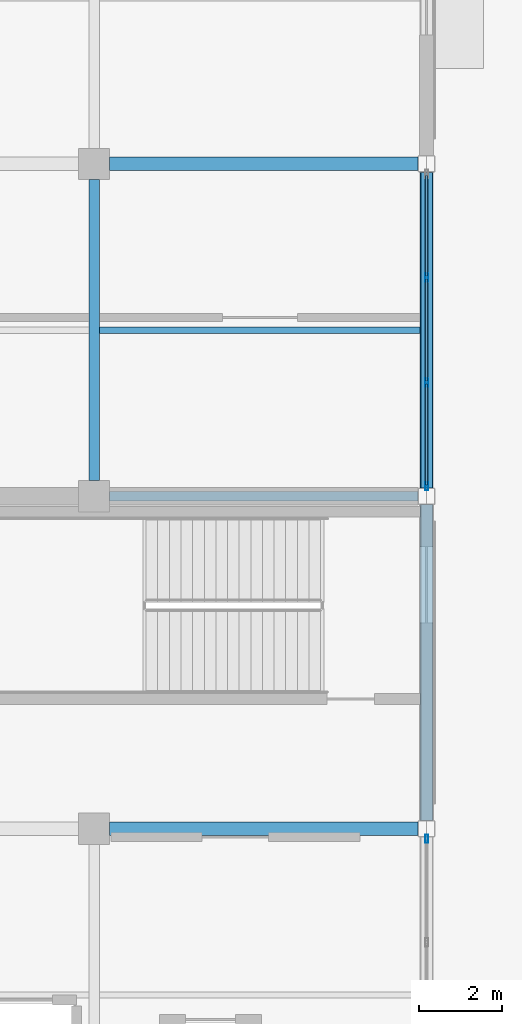
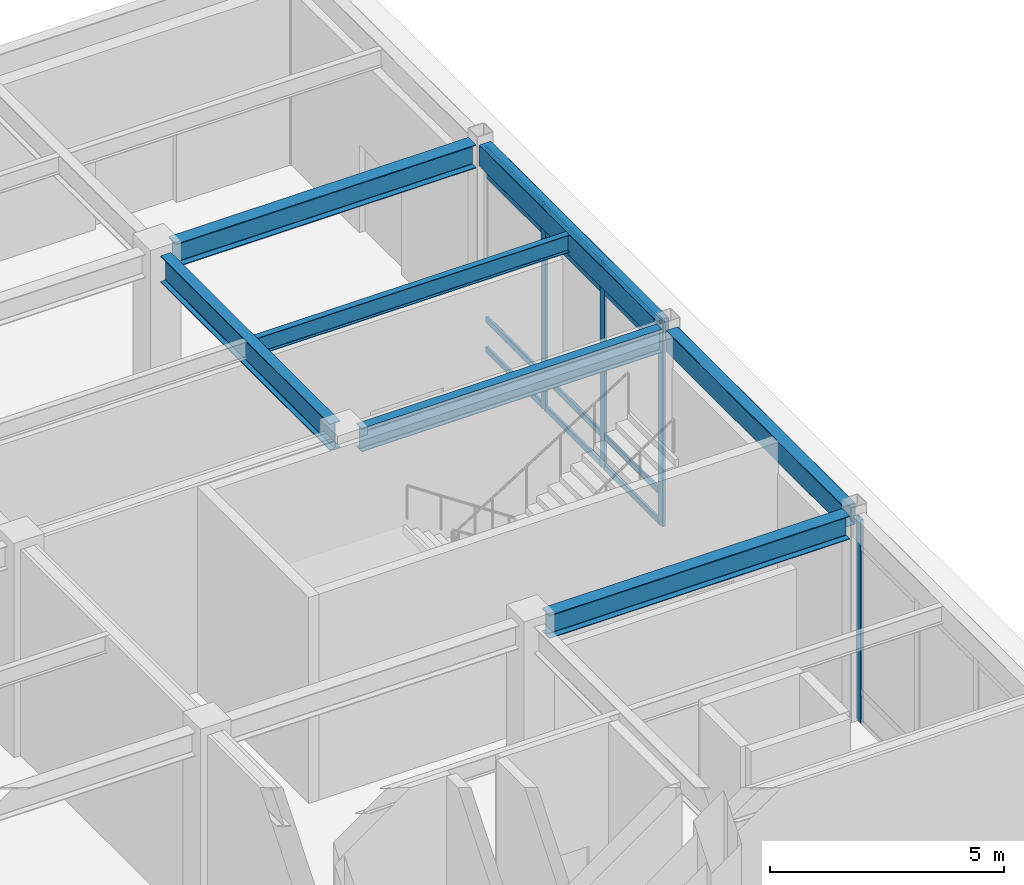
# One storey, part 92 of 128: 16 members, 7 beams, 2 elements without a shape of their own.
"""IFC4 building model written with IfcOpenShell, lengths in metres."""

from ifc_helpers import new_model, si_unit, direction, frame, origin, origin_2d, place, context, subcontext, project, spatial, hollow_rectangle, i_section, extrude, material, material_profile, profile_set, type_object, element, aggregate, save


model = new_model("IFC4")

# Units and contexts
model_context = context("Model", 3, precision=1e-05, world=origin(), true_north=direction((0.0, 1.0)))
body_context = subcontext(model_context, "Body", "Model", "MODEL_VIEW")
ifc_project = project(units=[si_unit("LENGTHUNIT", "METRE"), si_unit("AREAUNIT", "SQUARE_METRE"), si_unit("VOLUMEUNIT", "CUBIC_METRE"), si_unit("PLANEANGLEUNIT", "RADIAN"), si_unit("MASSUNIT", "GRAM", prefix="KILO")], contexts=[model_context])

# Site, building, storey
site_placement = place(None, origin())
site = spatial("IfcSite", under=ifc_project, at=site_placement, CompositionType="ELEMENT")
building_placement = place(site_placement, origin())
building = spatial("IfcBuilding", under=site, at=building_placement, Name="Solmirada Galleria", CompositionType="ELEMENT")
storey_placement = place(building_placement, origin())
storey = spatial("IfcBuildingStorey", under=building, at=storey_placement, Name="L00", CompositionType="ELEMENT", Elevation=0.0)

# Beams
ifc_material_1 = material(Name="Steel S355 / ASTM A992 Grade 50", Category="steel")
ifc_material_profile_1 = material_profile(ifc_material_1, i_section(OverallWidth=0.323974609375, OverallDepth=0.611083984375, WebThickness=0.0126953125, FlangeThickness=0.01904296875, FilletRadius=0.014892578125, at=origin_2d()), Name="W24X104")
ifc_profile_set_1 = profile_set([ifc_material_profile_1], Name="Steel S355 / ASTM A992 Grade 50")
beam_type_1 = type_object("IfcBeamType", Name="BM-GIRD-W24A", PredefinedType="BEAM", material=ifc_profile_set_1)
for number, where, z_axis, x_axis, name in (
    (1, (168.375, 96.0, 5.074462890625), (1.0, 0.0, 0.0), (0.0, 1.0, 0.0), "Primary beam L01 X(168..176, 96)"),
    (2, (168.375, 112.0, 5.074462890625), (1.0, 0.0, 0.0), (0.0, 1.0, 0.0), "Primary beam L01 X(168..176, 112)"),
):
    element("IfcBeam", number, at=place(storey_placement, frame(where, z_axis=z_axis, x_axis=x_axis)), inside=storey, type_object=beam_type_1, Name=name, PredefinedType="BEAM", context=body_context, shape_type="SweptSolid", body=[
        extrude(i_section(OverallWidth=0.323974609375, OverallDepth=0.611083984375, WebThickness=0.0126953125, FlangeThickness=0.01904296875, FilletRadius=0.014892578125, at=origin_2d()), origin(), (0.0, 0.0, 1.0), 7.422119140625),
    ])
ifc_material_profile_2 = material_profile(ifc_material_1, i_section(OverallWidth=0.22900390625, OverallDepth=0.612060546875, WebThickness=0.011962890625, FlangeThickness=0.01953125, FilletRadius=0.014892578125, at=origin_2d()), Name="W24X84")
ifc_profile_set_2 = profile_set([ifc_material_profile_2], Name="Steel S355 / ASTM A992 Grade 50")
beam_type_2 = type_object("IfcBeamType", Name="BM-GIRD-W24B", PredefinedType="BEAM", material=ifc_profile_set_2)
beam_1_placement = place(storey_placement, frame((168.375, 104.0, 5.073974609375), z_axis=(1.0, 0.0, 0.0), x_axis=(0.0, 1.0, 0.0)))
element("IfcBeam", 3, at=beam_1_placement, inside=storey, type_object=beam_type_2, Name="Primary beam L01 X(168..176, 104)", PredefinedType="BEAM", context=body_context, shape_type="SweptSolid", body=[
    extrude(i_section(OverallWidth=0.22900390625, OverallDepth=0.612060546875, WebThickness=0.011962890625, FlangeThickness=0.01953125, FilletRadius=0.014892578125, at=origin_2d()), origin(), (0.0, 0.0, 1.0), 7.422119140625),
])
ifc_material_profile_3 = material_profile(ifc_material_1, i_section(OverallWidth=0.256103515625, OverallDepth=0.693115234375, WebThickness=0.014404296875, FlangeThickness=0.023681640625, FilletRadius=0.01806640625, at=origin_2d()), Name="W27X114")
ifc_profile_set_3 = profile_set([ifc_material_profile_3], Name="Steel S355 / ASTM A992 Grade 50")
beam_type_3 = type_object("IfcBeamType", Name="BM-GIRD-W27A", PredefinedType="BEAM", material=ifc_profile_set_3)
beam_2_placement = place(storey_placement, frame((168.0, 104.375, 5.033447265625), z_axis=(0.0, 1.0, 0.0), x_axis=(-1.0, 0.0, 0.0)))
element("IfcBeam", 4, at=beam_2_placement, inside=storey, type_object=beam_type_3, Name="Primary girder L01 Y(168, 104..112)", PredefinedType="BEAM", context=body_context, shape_type="SweptSolid", body=[
    extrude(i_section(OverallWidth=0.256103515625, OverallDepth=0.693115234375, WebThickness=0.014404296875, FlangeThickness=0.023681640625, FilletRadius=0.01806640625, at=origin_2d()), origin(), (0.0, 0.0, 1.0), 7.25),
])
ifc_material_profile_4 = material_profile(ifc_material_1, i_section(OverallWidth=0.153076171875, OverallDepth=0.455078125, WebThickness=0.008056640625, FlangeThickness=0.01318359375, FilletRadius=0.011962890625, at=origin_2d()), Name="W18X40")
ifc_profile_set_4 = profile_set([ifc_material_profile_4], Name="Steel S355 / ASTM A992 Grade 50")
beam_type_4 = type_object("IfcBeamType", Name="BM-JST-W18A", PredefinedType="JOIST", material=ifc_profile_set_4)
beam_3_placement = place(storey_placement, frame((168.1279296875, 108.0, 5.152587890625), z_axis=(1.0, 0.0, 0.0), x_axis=(0.0, 1.0, 0.0)))
element("IfcBeam", 5, at=beam_3_placement, inside=storey, type_object=beam_type_4, Name="Composite floor joist L01 (168..176, 108.0)", PredefinedType="JOIST", context=body_context, shape_type="SweptSolid", body=[
    extrude(i_section(OverallWidth=0.153076171875, OverallDepth=0.455078125, WebThickness=0.008056640625, FlangeThickness=0.01318359375, FilletRadius=0.011962890625, at=origin_2d()), origin(), (0.0, 0.0, 1.0), 7.719482421875),
])
ifc_material_2 = material(Name="Steel S355 / ASTM A500 Grade C", Category="steel")
ifc_material_profile_5 = material_profile(ifc_material_2, hollow_rectangle(XDim=0.304931640625, YDim=0.55908203125, WallThickness=0.01171875, InnerFilletRadius=0.01171875, OuterFilletRadius=0.023681640625, at=origin_2d()), Name="HSS22X12X1/2")
ifc_profile_set_5 = profile_set([ifc_material_profile_5], Name="Steel S355 / ASTM A500 Grade C")
beam_type_5 = type_object("IfcBeamType", Name="BM-SPAND-W21", PredefinedType="SPANDREL", material=ifc_profile_set_5)
for number, where, z_axis, x_axis, name in (
    (6, (176.0, 96.202880859375, 5.1005859375), (0.0, 1.0, 0.0), (-1.0, 0.0, 0.0), "Primary girder L01 Y(176, 96..104)"),
    (7, (176.0, 104.202880859375, 5.1005859375), (0.0, 1.0, 0.0), (-1.0, 0.0, 0.0), "Primary girder L01 Y(176, 104..112)"),
):
    element("IfcBeam", number, at=place(storey_placement, frame(where, z_axis=z_axis, x_axis=x_axis)), inside=storey, type_object=beam_type_5, Name=name, PredefinedType="SPANDREL", context=body_context, shape_type="SweptSolid", body=[
        extrude(hollow_rectangle(XDim=0.304931640625, YDim=0.55908203125, WallThickness=0.01171875, InnerFilletRadius=0.01171875, OuterFilletRadius=0.023681640625, at=origin_2d()), origin(), (0.0, 0.0, 1.0), 7.59423828125),
    ])

# Curtain wall, members
ifc_material_3 = material(Name="Impact-resistant low-E double glazing", Category="glass")
curtain_wall_type = type_object("IfcCurtainWallType", Name="CW-FZ2-L00-B3-L076", PredefinedType="NOTDEFINED", material=ifc_material_3)
curtain_wall_1_placement = place(storey_placement, origin())
curtain_wall_1 = element("IfcCurtainWall", 8, at=curtain_wall_1_placement, inside=storey, type_object=curtain_wall_type, Name="Terrace and arcade storefront CW-L00-012", PredefinedType="NOTDEFINED")
ifc_material_4 = material(Name="Anodised aluminium framing", Category="aluminium")
ifc_material_profile_6 = material_profile(ifc_material_4, hollow_rectangle(XDim=0.070068359375, YDim=0.199951171875, WallThickness=0.004150390625, InnerFilletRadius=0.004150390625, OuterFilletRadius=0.00830078125, at=origin_2d()), Name="ALU-MULL-200X70")
ifc_profile_set_6 = profile_set([ifc_material_profile_6], Name="Anodised aluminium framing")
member_type_1 = type_object("IfcMemberType", Name="CW-MULL-200", PredefinedType="MULLION", material=ifc_profile_set_6)
member_1_placement = place(storey_placement, frame((176.0, 109.264892578125, 0.0), z_axis=(0.0, 0.0, 1.0), x_axis=(1.0, 0.0, 0.0)))
member_1 = element("IfcMember", 9, at=member_1_placement, type_object=member_type_1, Name="CW05 mullion 2", PredefinedType="MULLION", context=body_context, shape_type="SweptSolid", body=[
    extrude(hollow_rectangle(XDim=0.070068359375, YDim=0.199951171875, WallThickness=0.004150390625, InnerFilletRadius=0.004150390625, OuterFilletRadius=0.00830078125, at=origin_2d()), origin(), (0.0, 0.0, 1.0), 5.320068359375),
])
member_2_placement = place(storey_placement, frame((176.0, 106.735107421875, 0.0), z_axis=(0.0, 0.0, 1.0), x_axis=(1.0, 0.0, 0.0)))
member_2 = element("IfcMember", 10, at=member_2_placement, type_object=member_type_1, Name="CW05 mullion 3", PredefinedType="MULLION", context=body_context, shape_type="SweptSolid", body=[
    extrude(hollow_rectangle(XDim=0.070068359375, YDim=0.199951171875, WallThickness=0.004150390625, InnerFilletRadius=0.004150390625, OuterFilletRadius=0.00830078125, at=origin_2d()), origin(), (0.0, 0.0, 1.0), 5.320068359375),
])
member_3_placement = place(storey_placement, frame((176.0, 104.239990234375, 0.0), z_axis=(0.0, 0.0, 1.0), x_axis=(1.0, 0.0, 0.0)))
member_3 = element("IfcMember", 11, at=member_3_placement, type_object=member_type_1, Name="CW05 mullion 4", PredefinedType="MULLION", context=body_context, shape_type="SweptSolid", body=[
    extrude(hollow_rectangle(XDim=0.070068359375, YDim=0.199951171875, WallThickness=0.004150390625, InnerFilletRadius=0.004150390625, OuterFilletRadius=0.00830078125, at=origin_2d()), origin(), (0.0, 0.0, 1.0), 5.320068359375),
])

# Curtain wall, member
curtain_wall_2_placement = place(storey_placement, origin())
curtain_wall_2 = element("IfcCurtainWall", 12, at=curtain_wall_2_placement, inside=storey, type_object=curtain_wall_type, Name="Terrace and arcade storefront CW-L00-013", PredefinedType="NOTDEFINED")
member_4_placement = place(storey_placement, frame((176.0, 95.760009765625, 0.0), z_axis=(0.0, 0.0, 1.0), x_axis=(1.0, 0.0, 0.0)))
member_4 = element("IfcMember", 13, at=member_4_placement, type_object=member_type_1, Name="CW05 mullion 1", PredefinedType="MULLION", context=body_context, shape_type="SweptSolid", body=[
    extrude(hollow_rectangle(XDim=0.070068359375, YDim=0.199951171875, WallThickness=0.004150390625, InnerFilletRadius=0.004150390625, OuterFilletRadius=0.00830078125, at=origin_2d()), origin(), (0.0, 0.0, 1.0), 5.320068359375),
])
aggregate(curtain_wall_2, [member_4])

# Member
ifc_material_profile_7 = material_profile(ifc_material_4, hollow_rectangle(XDim=0.06494140625, YDim=0.159912109375, WallThickness=0.00390625, InnerFilletRadius=0.00390625, OuterFilletRadius=0.007568359375, at=origin_2d()), Name="ALU-TRAN-160X65")
ifc_profile_set_7 = profile_set([ifc_material_profile_7], Name="Anodised aluminium framing")
member_type_2 = type_object("IfcMemberType", Name="CW-TRAN-160", PredefinedType="USERDEFINED", material=ifc_profile_set_7)
member_5_placement = place(storey_placement, frame((176.0, 111.72509765625, 0.032470703125), z_axis=(0.0, -1.0, 0.0), x_axis=(1.0, 0.0, 0.0)))
member_5 = element("IfcMember", 14, at=member_5_placement, type_object=member_type_2, Name="CW05 transom 1.1", ObjectType="TRANSOM", PredefinedType="USERDEFINED", context=body_context, shape_type="SweptSolid", body=[
    extrude(hollow_rectangle(XDim=0.06494140625, YDim=0.159912109375, WallThickness=0.00390625, InnerFilletRadius=0.00390625, OuterFilletRadius=0.007568359375, at=origin_2d()), origin(), (0.0, 0.0, 1.0), 2.425048828125),
])

member_6_placement = place(storey_placement, frame((176.0, 111.72509765625, 0.820068359375), z_axis=(0.0, -1.0, 0.0), x_axis=(1.0, 0.0, 0.0)))
member_6 = element("IfcMember", 15, at=member_6_placement, type_object=member_type_2, Name="CW05 transom 1.2", ObjectType="TRANSOM", PredefinedType="USERDEFINED", context=body_context, shape_type="SweptSolid", body=[
    extrude(hollow_rectangle(XDim=0.06494140625, YDim=0.159912109375, WallThickness=0.00390625, InnerFilletRadius=0.00390625, OuterFilletRadius=0.007568359375, at=origin_2d()), origin(), (0.0, 0.0, 1.0), 2.425048828125),
])

member_7_placement = place(storey_placement, frame((176.0, 111.72509765625, 4.610107421875), z_axis=(0.0, -1.0, 0.0), x_axis=(1.0, 0.0, 0.0)))
member_7 = element("IfcMember", 16, at=member_7_placement, type_object=member_type_2, Name="CW05 transom 1.3", ObjectType="TRANSOM", PredefinedType="USERDEFINED", context=body_context, shape_type="SweptSolid", body=[
    extrude(hollow_rectangle(XDim=0.06494140625, YDim=0.159912109375, WallThickness=0.00390625, InnerFilletRadius=0.00390625, OuterFilletRadius=0.007568359375, at=origin_2d()), origin(), (0.0, 0.0, 1.0), 2.425048828125),
])

member_8_placement = place(storey_placement, frame((176.0, 111.72509765625, 5.28759765625), z_axis=(0.0, -1.0, 0.0), x_axis=(1.0, 0.0, 0.0)))
member_8 = element("IfcMember", 17, at=member_8_placement, type_object=member_type_2, Name="CW05 transom 1.4", ObjectType="TRANSOM", PredefinedType="USERDEFINED", context=body_context, shape_type="SweptSolid", body=[
    extrude(hollow_rectangle(XDim=0.06494140625, YDim=0.159912109375, WallThickness=0.00390625, InnerFilletRadius=0.00390625, OuterFilletRadius=0.007568359375, at=origin_2d()), origin(), (0.0, 0.0, 1.0), 2.425048828125),
])

member_9_placement = place(storey_placement, frame((176.0, 109.22998046875, 0.032470703125), z_axis=(0.0, -1.0, 0.0), x_axis=(1.0, 0.0, 0.0)))
member_9 = element("IfcMember", 18, at=member_9_placement, type_object=member_type_2, Name="CW05 transom 2.1", ObjectType="TRANSOM", PredefinedType="USERDEFINED", context=body_context, shape_type="SweptSolid", body=[
    extrude(hollow_rectangle(XDim=0.06494140625, YDim=0.159912109375, WallThickness=0.00390625, InnerFilletRadius=0.00390625, OuterFilletRadius=0.007568359375, at=origin_2d()), origin(), (0.0, 0.0, 1.0), 2.4599609375),
])

member_10_placement = place(storey_placement, frame((176.0, 109.22998046875, 0.820068359375), z_axis=(0.0, -1.0, 0.0), x_axis=(1.0, 0.0, 0.0)))
member_10 = element("IfcMember", 19, at=member_10_placement, type_object=member_type_2, Name="CW05 transom 2.2", ObjectType="TRANSOM", PredefinedType="USERDEFINED", context=body_context, shape_type="SweptSolid", body=[
    extrude(hollow_rectangle(XDim=0.06494140625, YDim=0.159912109375, WallThickness=0.00390625, InnerFilletRadius=0.00390625, OuterFilletRadius=0.007568359375, at=origin_2d()), origin(), (0.0, 0.0, 1.0), 2.4599609375),
])

member_11_placement = place(storey_placement, frame((176.0, 109.22998046875, 4.610107421875), z_axis=(0.0, -1.0, 0.0), x_axis=(1.0, 0.0, 0.0)))
member_11 = element("IfcMember", 20, at=member_11_placement, type_object=member_type_2, Name="CW05 transom 2.3", ObjectType="TRANSOM", PredefinedType="USERDEFINED", context=body_context, shape_type="SweptSolid", body=[
    extrude(hollow_rectangle(XDim=0.06494140625, YDim=0.159912109375, WallThickness=0.00390625, InnerFilletRadius=0.00390625, OuterFilletRadius=0.007568359375, at=origin_2d()), origin(), (0.0, 0.0, 1.0), 2.4599609375),
])

member_12_placement = place(storey_placement, frame((176.0, 109.22998046875, 5.28759765625), z_axis=(0.0, -1.0, 0.0), x_axis=(1.0, 0.0, 0.0)))
member_12 = element("IfcMember", 21, at=member_12_placement, type_object=member_type_2, Name="CW05 transom 2.4", ObjectType="TRANSOM", PredefinedType="USERDEFINED", context=body_context, shape_type="SweptSolid", body=[
    extrude(hollow_rectangle(XDim=0.06494140625, YDim=0.159912109375, WallThickness=0.00390625, InnerFilletRadius=0.00390625, OuterFilletRadius=0.007568359375, at=origin_2d()), origin(), (0.0, 0.0, 1.0), 2.4599609375),
])

member_13_placement = place(storey_placement, frame((176.0, 106.699951171875, 0.032470703125), z_axis=(0.0, -1.0, 0.0), x_axis=(1.0, 0.0, 0.0)))
member_13 = element("IfcMember", 22, at=member_13_placement, type_object=member_type_2, Name="CW05 transom 3.1", ObjectType="TRANSOM", PredefinedType="USERDEFINED", context=body_context, shape_type="SweptSolid", body=[
    extrude(hollow_rectangle(XDim=0.06494140625, YDim=0.159912109375, WallThickness=0.00390625, InnerFilletRadius=0.00390625, OuterFilletRadius=0.007568359375, at=origin_2d()), origin(), (0.0, 0.0, 1.0), 2.425048828125),
])

member_14_placement = place(storey_placement, frame((176.0, 106.699951171875, 0.820068359375), z_axis=(0.0, -1.0, 0.0), x_axis=(1.0, 0.0, 0.0)))
member_14 = element("IfcMember", 23, at=member_14_placement, type_object=member_type_2, Name="CW05 transom 3.2", ObjectType="TRANSOM", PredefinedType="USERDEFINED", context=body_context, shape_type="SweptSolid", body=[
    extrude(hollow_rectangle(XDim=0.06494140625, YDim=0.159912109375, WallThickness=0.00390625, InnerFilletRadius=0.00390625, OuterFilletRadius=0.007568359375, at=origin_2d()), origin(), (0.0, 0.0, 1.0), 2.425048828125),
])

member_15_placement = place(storey_placement, frame((176.0, 106.699951171875, 4.610107421875), z_axis=(0.0, -1.0, 0.0), x_axis=(1.0, 0.0, 0.0)))
member_15 = element("IfcMember", 24, at=member_15_placement, type_object=member_type_2, Name="CW05 transom 3.3", ObjectType="TRANSOM", PredefinedType="USERDEFINED", context=body_context, shape_type="SweptSolid", body=[
    extrude(hollow_rectangle(XDim=0.06494140625, YDim=0.159912109375, WallThickness=0.00390625, InnerFilletRadius=0.00390625, OuterFilletRadius=0.007568359375, at=origin_2d()), origin(), (0.0, 0.0, 1.0), 2.425048828125),
])

member_16_placement = place(storey_placement, frame((176.0, 106.699951171875, 5.28759765625), z_axis=(0.0, -1.0, 0.0), x_axis=(1.0, 0.0, 0.0)))
member_16 = element("IfcMember", 25, at=member_16_placement, type_object=member_type_2, Name="CW05 transom 3.4", ObjectType="TRANSOM", PredefinedType="USERDEFINED", context=body_context, shape_type="SweptSolid", body=[
    extrude(hollow_rectangle(XDim=0.06494140625, YDim=0.159912109375, WallThickness=0.00390625, InnerFilletRadius=0.00390625, OuterFilletRadius=0.007568359375, at=origin_2d()), origin(), (0.0, 0.0, 1.0), 2.425048828125),
])

aggregate(curtain_wall_1, [member_1, member_2, member_3, member_5, member_6, member_7, member_8, member_9, member_10, member_11, member_12, member_13, member_14, member_15, member_16])

save(model, "model.ifc")
